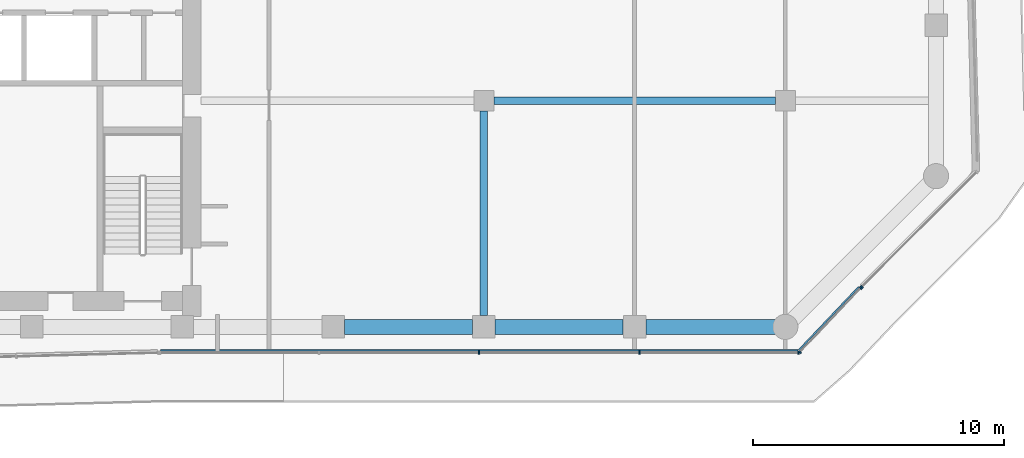
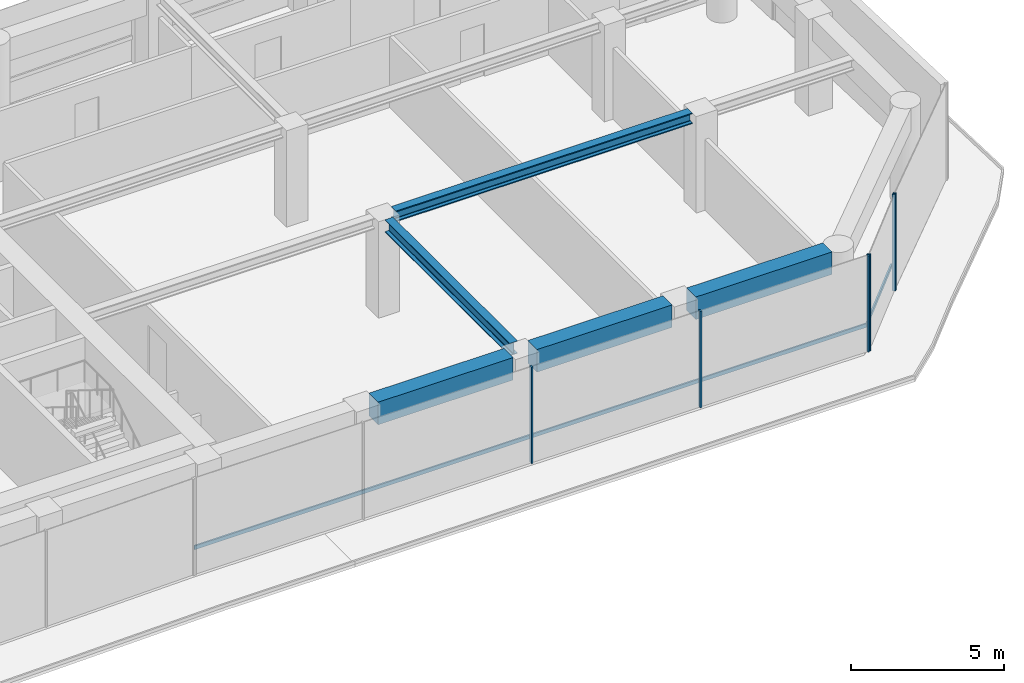
# One storey, part 6 of 23: 8 members, 5 beams, 3 elements without a shape of their own.
"""IFC4 building model written with IfcOpenShell, lengths in metres."""

from ifc_helpers import new_model, si_unit, direction, frame, origin, origin_2d, place, context, subcontext, project, spatial, rectangle, i_section, extrude, material, layer, layer_set, material_profile, profile_set, type_object, element, aggregate, save


model = new_model("IFC4")

# Units and contexts
model_context = context("Model", 3, precision=1e-05, world=origin(), true_north=direction((0.0, 1.0)))
body_context = subcontext(model_context, "Body", "Model", "MODEL_VIEW")
ifc_project = project(units=[si_unit("LENGTHUNIT", "METRE"), si_unit("AREAUNIT", "SQUARE_METRE"), si_unit("VOLUMEUNIT", "CUBIC_METRE"), si_unit("PLANEANGLEUNIT", "RADIAN"), si_unit("MASSUNIT", "GRAM", prefix="KILO")], contexts=[model_context])

# Site, building, storey
site_placement = place(None, origin())
site = spatial("IfcSite", under=ifc_project, at=site_placement, CompositionType="ELEMENT")
building_placement = place(site_placement, origin())
building = spatial("IfcBuilding", under=site, at=building_placement, Name="Welwitschia Terrace Campus", CompositionType="ELEMENT")
storey_placement = place(building_placement, frame((0.0, 0.0, 104.60009765625)))
storey = spatial("IfcBuildingStorey", under=building, at=storey_placement, Name="L23", CompositionType="ELEMENT", Elevation=104.60009765625)

# Beam
ifc_material_1 = material(Name="Steel S355", Category="steel")
ifc_material_profile_1 = material_profile(ifc_material_1, i_section(OverallWidth=0.306884765625, OverallDepth=0.431884765625, WebThickness=0.02099609375, FlangeThickness=0.0400390625, FilletRadius=0.027099609375, at=origin_2d()))
ifc_profile_set_1 = profile_set([ifc_material_profile_1], Name="Steel S355")
beam_type_1 = type_object("IfcBeamType", Name="Interior girder HE 400 M", PredefinedType="BEAM", material=ifc_profile_set_1)
beam_1_placement = place(storey_placement, frame((36.400390625, 13.0, 3.6337890625), z_axis=(1.0, 0.0, 0.0), x_axis=(0.0, 1.0, 0.0)))
element("IfcBeam", 1, at=beam_1_placement, inside=storey, type_object=beam_type_1, Name="Girder GB3", PredefinedType="BEAM", context=body_context, shape_type="SweptSolid", body=[
    extrude(i_section(OverallWidth=0.306884765625, OverallDepth=0.431884765625, WebThickness=0.02099609375, FlangeThickness=0.0400390625, FilletRadius=0.027099609375, at=origin_2d()), origin(), (0.0, 0.0, 1.0), 11.19921875),
])

# Curtain wall, members
ifc_material_2 = material(Name="Bronze anodised aluminium", Category="aluminium")
ifc_layer = layer(ifc_material_2, 0.1201171875)
ifc_layer_set = layer_set([ifc_layer], Name="Bronze anodised aluminium")
curtain_wall_type = type_object("IfcCurtainWallType", Name="Curtain wall CW2 tower 6000", PredefinedType="NOTDEFINED", material=ifc_layer_set)
curtain_wall_1_placement = place(storey_placement, origin())
curtain_wall_1 = element("IfcCurtainWall", 2, at=curtain_wall_1_placement, inside=storey, type_object=curtain_wall_type, Name="CW L23.2.0", PredefinedType="NOTDEFINED")
ifc_material_3 = material(Name="Bronze anodised aluminium", Category="aluminium")
ifc_material_profile_2 = material_profile(ifc_material_3, rectangle(XDim=0.1201171875, YDim=0.06005859375, at=origin_2d()))
ifc_profile_set_2 = profile_set([ifc_material_profile_2], Name="Bronze anodised aluminium")
member_type_1 = type_object("IfcMemberType", Name="Mullion 60x120", PredefinedType="MULLION", material=ifc_profile_set_2)
member_1_placement = place(storey_placement, frame((35.81689453125, 2.969970703125, 0.0), z_axis=(0.0, 0.0, 1.0), x_axis=(0.0, 1.0, 0.0)))
member_1 = element("IfcMember", 3, at=member_1_placement, type_object=member_type_1, Name="Mullion L23.2.0.2", PredefinedType="MULLION", context=body_context, shape_type="SweptSolid", body=[
    extrude(rectangle(XDim=0.1201171875, YDim=0.06005859375, at=origin_2d()), origin(), (0.0, 0.0, 1.0), 3.849853515625),
])
member_2_placement = place(storey_placement, frame((42.18798828125, 2.969970703125, 0.0), z_axis=(0.0, 0.0, 1.0), x_axis=(0.0, 1.0, 0.0)))
member_2 = element("IfcMember", 4, at=member_2_placement, type_object=member_type_1, Name="Mullion L23.2.0.3", PredefinedType="MULLION", context=body_context, shape_type="SweptSolid", body=[
    extrude(rectangle(XDim=0.1201171875, YDim=0.06005859375, at=origin_2d()), origin(), (0.0, 0.0, 1.0), 3.849853515625),
])
member_3_placement = place(storey_placement, frame((48.529296875, 2.969970703125, 0.0), z_axis=(0.0, 0.0, 1.0), x_axis=(0.0, 1.0, 0.0)))
member_3 = element("IfcMember", 5, at=member_3_placement, type_object=member_type_1, Name="Mullion L23.2.0.4", PredefinedType="MULLION", context=body_context, shape_type="SweptSolid", body=[
    extrude(rectangle(XDim=0.1201171875, YDim=0.06005859375, at=origin_2d()), origin(), (0.0, 0.0, 1.0), 3.849853515625),
])

curtain_wall_2_placement = place(storey_placement, origin())
curtain_wall_2 = element("IfcCurtainWall", 6, at=curtain_wall_2_placement, inside=storey, type_object=curtain_wall_type, Name="CW L23.3.0", PredefinedType="NOTDEFINED")
member_4_placement = place(storey_placement, frame((48.579833984375, 2.99169921875, 0.0), z_axis=(0.0, 0.0, 1.0), x_axis=(-0.725374371012, 0.688354575694, 0.0)))
member_4 = element("IfcMember", 7, at=member_4_placement, type_object=member_type_1, Name="Mullion L23.3.0.0", PredefinedType="MULLION", context=body_context, shape_type="SweptSolid", body=[
    extrude(rectangle(XDim=0.1201171875, YDim=0.06005859375, at=origin_2d()), origin(), (0.0, 0.0, 1.0), 3.849853515625),
])
member_5_placement = place(storey_placement, frame((51.00341796875, 5.545654296875, 0.0), z_axis=(0.0, 0.0, 1.0), x_axis=(-0.725374371012, 0.688354575694, 0.0)))
member_5 = element("IfcMember", 8, at=member_5_placement, type_object=member_type_1, Name="Mullion L23.3.0.1", PredefinedType="MULLION", context=body_context, shape_type="SweptSolid", body=[
    extrude(rectangle(XDim=0.1201171875, YDim=0.06005859375, at=origin_2d()), origin(), (0.0, 0.0, 1.0), 3.849853515625),
])

# Curtain wall, member
curtain_wall_3_placement = place(storey_placement, origin())
curtain_wall_3 = element("IfcCurtainWall", 9, at=curtain_wall_3_placement, inside=storey, type_object=curtain_wall_type, Name="CW L23.4.0", PredefinedType="NOTDEFINED")
member_6_placement = place(storey_placement, frame((51.04541015625, 5.588623046875, 0.0), z_axis=(0.0, 0.0, 1.0), x_axis=(-0.707106781187, 0.707106781187, 0.0)))
member_6 = element("IfcMember", 10, at=member_6_placement, type_object=member_type_1, Name="Mullion L23.4.0.0", PredefinedType="MULLION", context=body_context, shape_type="SweptSolid", body=[
    extrude(rectangle(XDim=0.1201171875, YDim=0.06005859375, at=origin_2d()), origin(), (0.0, 0.0, 1.0), 3.849853515625),
])
aggregate(curtain_wall_3, [member_6])

# Beams
ifc_material_4 = material(Name="Steel S355", Category="steel")
ifc_material_profile_3 = material_profile(ifc_material_4, i_section(OverallWidth=0.300048828125, OverallDepth=0.5, WebThickness=0.014404296875, FlangeThickness=0.028076171875, FilletRadius=0.027099609375, at=origin_2d()))
ifc_profile_set_3 = profile_set([ifc_material_profile_3], Name="Steel S355")
beam_type_2 = type_object("IfcBeamType", Name="Primary beam HE 500 B", PredefinedType="BEAM", material=ifc_profile_set_3)
beam_2_placement = place(storey_placement, frame((36.0, 4.450439453125, 3.599853515625), z_axis=(0.0, 1.0, 0.0), x_axis=(-1.0, 0.0, 0.0)))
element("IfcBeam", 11, at=beam_2_placement, inside=storey, type_object=beam_type_2, Name="Primary beam PB3", PredefinedType="BEAM", context=body_context, shape_type="SweptSolid", body=[
    extrude(i_section(OverallWidth=0.300048828125, OverallDepth=0.5, WebThickness=0.014404296875, FlangeThickness=0.028076171875, FilletRadius=0.027099609375, at=origin_2d()), origin(), (0.0, 0.0, 1.0), 8.149169921875),
])
ifc_material_5 = material(Name="Concrete C60/75", Category="concrete")
ifc_material_profile_4 = material_profile(ifc_material_5, rectangle(XDim=0.60009765625, YDim=0.89990234375, at=origin_2d()))
ifc_profile_set_4 = profile_set([ifc_material_profile_4], Name="Concrete C60/75")
beam_type_3 = type_object("IfcBeamType", Name="Ring spandrel 600x900", PredefinedType="SPANDREL", material=ifc_profile_set_4)
for number, where, z_axis, x_axis, name in (
    (12, (30.450439453125, 4.0, 3.39990234375), (1.0, 0.0, 0.0), (0.0, 1.0, 0.0), "Spandrel SP2"),
    (13, (36.450439453125, 4.0, 3.39990234375), (1.0, 0.0, 0.0), (0.0, 1.0, 0.0), "Spandrel SP2"),
):
    element("IfcBeam", number, at=place(storey_placement, frame(where, z_axis=z_axis, x_axis=x_axis)), inside=storey, type_object=beam_type_3, Name=name, PredefinedType="SPANDREL", context=body_context, shape_type="SweptSolid", body=[
        extrude(rectangle(XDim=0.60009765625, YDim=0.89990234375, at=origin_2d()), origin(), (0.0, 0.0, 1.0), 5.09912109375),
    ])
beam_3_placement = place(storey_placement, frame((42.450439453125, 4.0, 3.39990234375), z_axis=(1.0, 0.0, 0.0), x_axis=(0.0, 1.0, 0.0)))
element("IfcBeam", 14, at=beam_3_placement, inside=storey, type_object=beam_type_3, Name="Spandrel SP2", PredefinedType="SPANDREL", context=body_context, shape_type="SweptSolid", body=[
    extrude(rectangle(XDim=0.60009765625, YDim=0.89990234375, at=origin_2d()), origin(), (0.0, 0.0, 1.0), 5.149169921875),
])

# Member
ifc_material_6 = material(Name="Bronze anodised aluminium", Category="aluminium")
ifc_material_profile_5 = material_profile(ifc_material_6, rectangle(XDim=0.06005859375, YDim=0.14990234375, at=origin_2d()))
ifc_profile_set_5 = profile_set([ifc_material_profile_5], Name="Bronze anodised aluminium")
member_type_2 = type_object("IfcMemberType", Name="Transom 60x150", PredefinedType="USERDEFINED", material=ifc_profile_set_5)
member_7_placement = place(storey_placement, frame((23.13427734375, 3.06005859375, 1.0), z_axis=(1.0, 0.0, 0.0), x_axis=(0.0, 1.0, 0.0)))
member_7 = element("IfcMember", 15, at=member_7_placement, type_object=member_type_2, Name="Transom L23.2.0", ObjectType="TRANSOM", PredefinedType="USERDEFINED", context=body_context, shape_type="SweptSolid", body=[
    extrude(rectangle(XDim=0.06005859375, YDim=0.14990234375, at=origin_2d()), origin(), (0.0, 0.0, 1.0), 25.364990234375),
])

aggregate(curtain_wall_1, [member_1, member_2, member_3, member_7])

member_8_placement = place(storey_placement, frame((48.53515625, 3.075439453125, 1.0), z_axis=(0.688347054317, 0.725381508459, 0.0), x_axis=(-0.725381508459, 0.688347054317, 0.0)))
member_8 = element("IfcMember", 16, at=member_8_placement, type_object=member_type_2, Name="Transom L23.3.0", ObjectType="TRANSOM", PredefinedType="USERDEFINED", context=body_context, shape_type="SweptSolid", body=[
    extrude(rectangle(XDim=0.06005859375, YDim=0.14990234375, at=origin_2d()), origin(), (0.0, 0.0, 1.0), 3.4609375),
])

aggregate(curtain_wall_2, [member_4, member_5, member_8])

save(model, "model.ifc")
